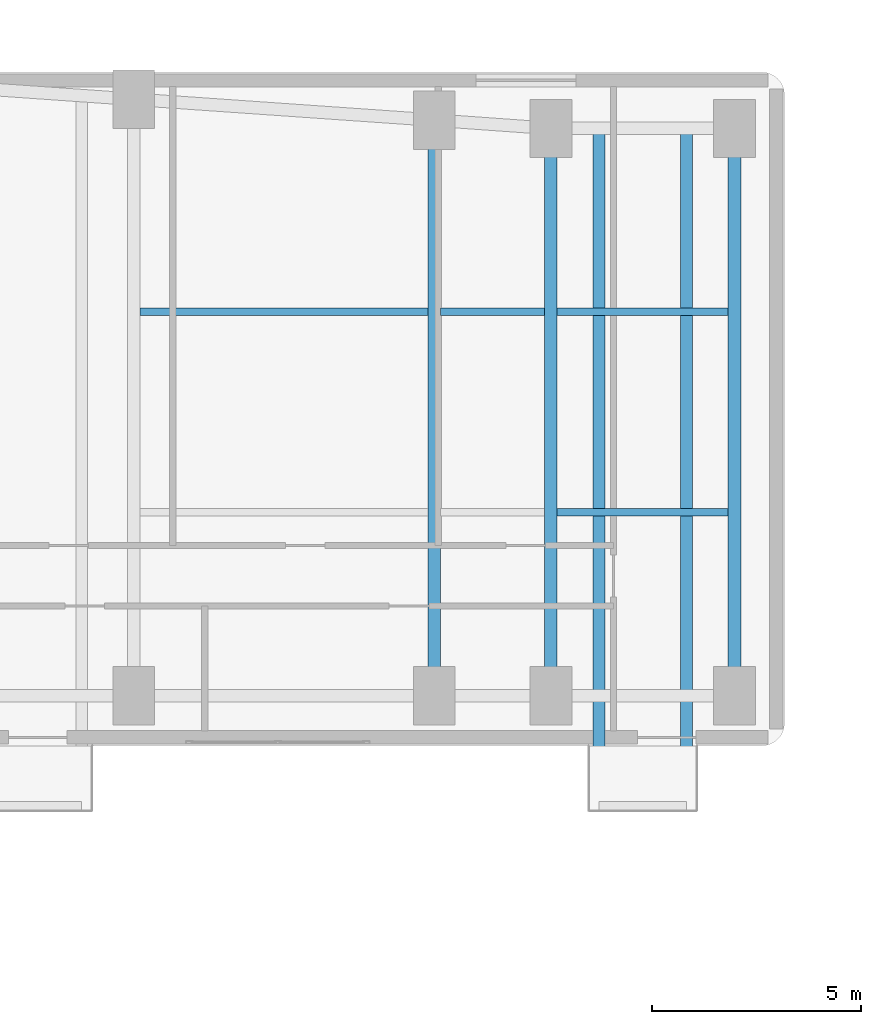
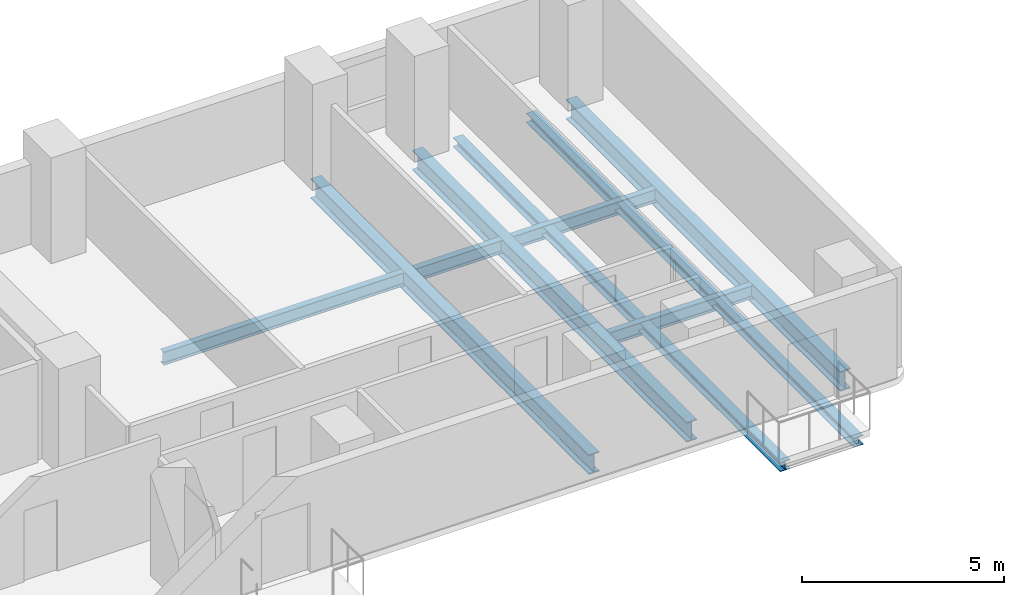
# One storey, part 7 of 17: 9 beams.
"""IFC4 building model written with IfcOpenShell, lengths in metres."""

from ifc_helpers import new_model, si_unit, direction, frame, origin, origin_2d, place, context, subcontext, project, spatial, i_section, extrude, material, material_profile, profile_set, type_object, element, save


model = new_model("IFC4")

# Units and contexts
model_context = context("Model", 3, precision=1e-05, world=origin(), true_north=direction((0.0, 1.0)))
body_context = subcontext(model_context, "Body", "Model", "MODEL_VIEW")
ifc_project = project(units=[si_unit("LENGTHUNIT", "METRE"), si_unit("AREAUNIT", "SQUARE_METRE"), si_unit("VOLUMEUNIT", "CUBIC_METRE"), si_unit("PLANEANGLEUNIT", "RADIAN"), si_unit("MASSUNIT", "GRAM", prefix="KILO")], contexts=[model_context])

# Site, building, storey
site_placement = place(None, origin())
site = spatial("IfcSite", under=ifc_project, at=site_placement, CompositionType="ELEMENT")
building_placement = place(site_placement, origin())
building = spatial("IfcBuilding", under=site, at=building_placement, Name="Kuzgunbayir Cultural Tower", CompositionType="ELEMENT")
storey_placement = place(building_placement, frame((0.0, 0.0, 46.800048828125)))
storey = spatial("IfcBuildingStorey", under=building, at=storey_placement, Name="L12", CompositionType="ELEMENT", Elevation=46.800048828125)

# Beams
ifc_material = material(Name="Steel S355J2", Category="steel")
ifc_material_profile_1 = material_profile(ifc_material, i_section(OverallWidth=0.280029296875, OverallDepth=0.280029296875, WebThickness=0.010498046875, FlangeThickness=0.01806640625, FilletRadius=0.02392578125, at=origin_2d()), Name="HEB 280")
ifc_profile_set_1 = profile_set([ifc_material_profile_1], Name="Steel S355J2")
beam_type_1 = type_object("IfcBeamType", Name="BM-BAL-HEB280", PredefinedType="BEAM", material=ifc_profile_set_1)
for number, where, z_axis, x_axis, name in (
    (1, (42.35009765625, 24.9599609375, -0.340087890625), (0.0, 1.0, 0.0), (-1.0, 0.0, 0.0), "L12 Balcony Outrigger Beam BAL-L12-WB3.1"),
    (2, (44.449951171875, 24.9599609375, -0.340087890625), (0.0, 1.0, 0.0), (-1.0, 0.0, 0.0), "L12 Balcony Outrigger Beam BAL-L12-WB3.2"),
):
    element("IfcBeam", number, at=place(storey_placement, frame(where, z_axis=z_axis, x_axis=x_axis)), inside=storey, type_object=beam_type_1, Name=name, PredefinedType="BEAM", context=body_context, shape_type="SweptSolid", body=[
        extrude(i_section(OverallWidth=0.280029296875, OverallDepth=0.280029296875, WebThickness=0.010498046875, FlangeThickness=0.01806640625, FilletRadius=0.02392578125, at=origin_2d()), origin(), (0.0, 0.0, 1.0), 16.239990234375),
    ])
ifc_material_profile_2 = material_profile(ifc_material, i_section(OverallWidth=0.300048828125, OverallDepth=0.60009765625, WebThickness=0.015380859375, FlangeThickness=0.030029296875, FilletRadius=0.027099609375, at=origin_2d()), Name="HEB 600")
ifc_profile_set_2 = profile_set([ifc_material_profile_2], Name="Steel S355J2")
beam_type_2 = type_object("IfcBeamType", Name="BM-GIR-HEB600", PredefinedType="BEAM", material=ifc_profile_set_2)
beam_1_placement = place(storey_placement, frame((38.39990234375, 27.60009765625, -0.47998046875), z_axis=(0.0, 1.0, 0.0), x_axis=(-1.0, 0.0, 0.0)))
element("IfcBeam", 3, at=beam_1_placement, inside=storey, type_object=beam_type_2, Name="L12 Wing B Cross Girder 38", PredefinedType="BEAM", context=body_context, shape_type="SweptSolid", body=[
    extrude(i_section(OverallWidth=0.300048828125, OverallDepth=0.60009765625, WebThickness=0.015380859375, FlangeThickness=0.030029296875, FilletRadius=0.027099609375, at=origin_2d()), origin(), (0.0, 0.0, 1.0), 13.7998046875),
])
for number, where, z_axis, x_axis, name in (
    (4, (41.199951171875, 27.60009765625, -0.47998046875), (0.0, 1.0, 0.0), (-1.0, 0.0, 0.0), "L12 Wing B Cross Girder 41"),
    (5, (45.60009765625, 27.60009765625, -0.47998046875), (0.0, 1.0, 0.0), (-1.0, 0.0, 0.0), "L12 Wing B Cross Girder 45"),
):
    element("IfcBeam", number, at=place(storey_placement, frame(where, z_axis=z_axis, x_axis=x_axis)), inside=storey, type_object=beam_type_2, Name=name, PredefinedType="BEAM", context=body_context, shape_type="SweptSolid", body=[
        extrude(i_section(OverallWidth=0.300048828125, OverallDepth=0.60009765625, WebThickness=0.015380859375, FlangeThickness=0.030029296875, FilletRadius=0.027099609375, at=origin_2d()), origin(), (0.0, 0.0, 1.0), 13.599853515625),
    ])
ifc_material_profile_3 = material_profile(ifc_material, i_section(OverallWidth=0.179931640625, OverallDepth=0.39990234375, WebThickness=0.008544921875, FlangeThickness=0.013427734375, FilletRadius=0.02099609375, at=origin_2d()), Name="IPE 400")
ifc_profile_set_3 = profile_set([ifc_material_profile_3], Name="Steel S355J2")
beam_type_3 = type_object("IfcBeamType", Name="BM-JST-IPE400", PredefinedType="JOIST", material=ifc_profile_set_3)
beam_2_placement = place(storey_placement, frame((31.35009765625, 36.800048828125, -0.380126953125), z_axis=(1.0, 0.0, 0.0), x_axis=(0.0, 1.0, 0.0)))
element("IfcBeam", 6, at=beam_2_placement, inside=storey, type_object=beam_type_3, Name="L12 Wing B Secondary Joist 1.2", PredefinedType="JOIST", context=body_context, shape_type="SweptSolid", body=[
    extrude(i_section(OverallWidth=0.179931640625, OverallDepth=0.39990234375, WebThickness=0.008544921875, FlangeThickness=0.013427734375, FilletRadius=0.02099609375, at=origin_2d()), origin(), (0.0, 0.0, 1.0), 6.89990234375),
])
beam_3_placement = place(storey_placement, frame((38.550048828125, 36.800048828125, -0.380126953125), z_axis=(1.0, 0.0, 0.0), x_axis=(0.0, 1.0, 0.0)))
element("IfcBeam", 7, at=beam_3_placement, inside=storey, type_object=beam_type_3, Name="L12 Wing B Secondary Joist 2.2", PredefinedType="JOIST", context=body_context, shape_type="SweptSolid", body=[
    extrude(i_section(OverallWidth=0.179931640625, OverallDepth=0.39990234375, WebThickness=0.008544921875, FlangeThickness=0.013427734375, FilletRadius=0.02099609375, at=origin_2d()), origin(), (0.0, 0.0, 1.0), 2.5),
])
for number, where, z_axis, x_axis, name in (
    (8, (41.35009765625, 32.0, -0.380126953125), (1.0, 0.0, 0.0), (0.0, 1.0, 0.0), "L12 Wing B Secondary Joist 3.1"),
    (9, (41.35009765625, 36.800048828125, -0.380126953125), (1.0, 0.0, 0.0), (0.0, 1.0, 0.0), "L12 Wing B Secondary Joist 3.2"),
):
    element("IfcBeam", number, at=place(storey_placement, frame(where, z_axis=z_axis, x_axis=x_axis)), inside=storey, type_object=beam_type_3, Name=name, PredefinedType="JOIST", context=body_context, shape_type="SweptSolid", body=[
        extrude(i_section(OverallWidth=0.179931640625, OverallDepth=0.39990234375, WebThickness=0.008544921875, FlangeThickness=0.013427734375, FilletRadius=0.02099609375, at=origin_2d()), origin(), (0.0, 0.0, 1.0), 4.099853515625),
    ])

save(model, "model.ifc")
